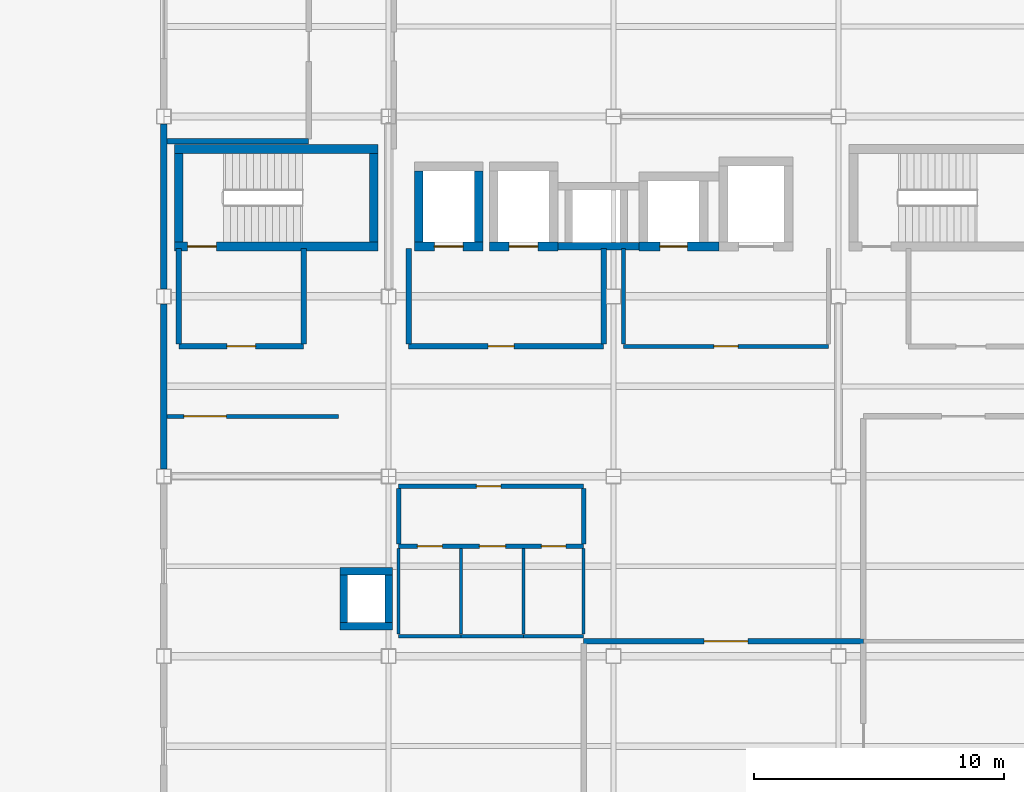
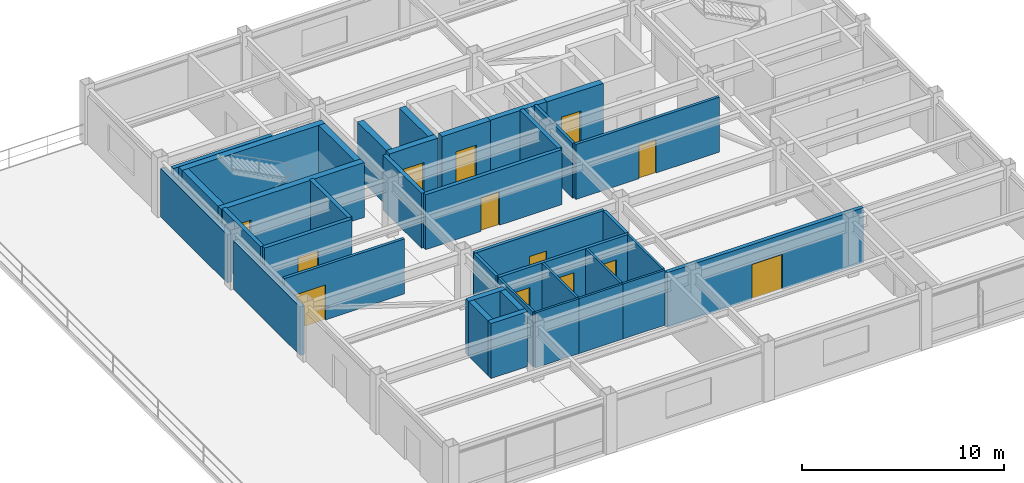
# One storey, part 6 of 11: 38 walls, 13 doors, 13 openings.
"""IFC4 building model written with IfcOpenShell, lengths in metres."""

from ifc_helpers import new_model, si_unit, direction, frame, frame_2d, origin, place, context, subcontext, project, spatial, rectangle, extrude, material, layer, layer_set, type_object, element, fill, save


model = new_model("IFC4")

# Units and contexts
model_context = context("Model", 3, precision=1e-05, world=origin(), true_north=direction((0.0, 1.0)))
body_context = subcontext(model_context, "Body", "Model", "MODEL_VIEW")
ifc_project = project(units=[si_unit("LENGTHUNIT", "METRE"), si_unit("AREAUNIT", "SQUARE_METRE"), si_unit("VOLUMEUNIT", "CUBIC_METRE"), si_unit("PLANEANGLEUNIT", "RADIAN"), si_unit("MASSUNIT", "GRAM", prefix="KILO")], contexts=[model_context])

# Site, building, storey
site_placement = place(None, origin())
site = spatial("IfcSite", under=ifc_project, at=site_placement, CompositionType="ELEMENT")
building_placement = place(site_placement, origin())
building = spatial("IfcBuilding", under=site, at=building_placement, Name="Kazanami Central Library", CompositionType="ELEMENT")
storey_placement = place(building_placement, frame((0.0, 0.0, 24.199951171875)))
storey = spatial("IfcBuildingStorey", under=building, at=storey_placement, Name="L07", CompositionType="ELEMENT", Elevation=24.199951171875)

# Walls
ifc_material_1 = material(Name="Concrete Fc36 (36 MPa)", Category="concrete")
ifc_layer_1 = layer(ifc_material_1, 0.179931640625, Name="Concrete Fc36 (36 MPa)")
ifc_material_2 = material(Name="Extruded Polystyrene XPS", Category="earth")
ifc_layer_2 = layer(ifc_material_2, 0.050048828125, Name="Extruded Polystyrene XPS")
ifc_material_3 = material(Name="Honed Inada Granite", Category="masonry")
ifc_layer_3 = layer(ifc_material_3, 0.030029296875, Name="Honed Inada Granite")
ifc_layer_set_1 = layer_set([ifc_layer_1, ifc_layer_2, ifc_layer_3], Name="Concrete Fc36 (36 MPa)")
wall_type_1 = type_object("IfcWallType", Name="WAL-EW-260", PredefinedType="STANDARD", material=ifc_layer_set_1)
wall_1_placement = place(storey_placement, frame((126.0, 72.300048828125, 0.0), z_axis=(0.0, 0.0, 1.0), x_axis=(0.0, 1.0, 0.0)))
element("IfcWall", 1, at=wall_1_placement, inside=storey, type_object=wall_type_1, Name="Exterior Facade Wall EW-260 L07 W-15-10", PredefinedType="STANDARD", context=body_context, shape_type="SweptSolid", body=[
    extrude(rectangle(XDim=6.599853515625, YDim=0.260009765625, at=frame_2d((3.2998046875, 0.0))), origin(), (0.0, 0.0, 1.0), 2.920166015625),
])
wall_2_placement = place(storey_placement, frame((126.0, 79.5, 0.0), z_axis=(0.0, 0.0, 1.0), x_axis=(0.0, 1.0, 0.0)))
element("IfcWall", 2, at=wall_2_placement, inside=storey, type_object=wall_type_1, Name="Exterior Facade Wall EW-260 L07 W-15-11", PredefinedType="STANDARD", context=body_context, shape_type="SweptSolid", body=[
    extrude(rectangle(XDim=6.60009765625, YDim=0.260009765625, at=frame_2d((3.300048828125, 0.0))), origin(), (0.0, 0.0, 1.0), 2.920166015625),
])

# Wall, opening, door
ifc_material_4 = material(Name="Fire-Resistant Gypsum Board GB-F", Category="gypsum")
ifc_layer_4 = layer(ifc_material_4, 0.1650390625, Name="Fire-Resistant Gypsum Board GB-F")
ifc_layer_set_2 = layer_set([ifc_layer_4], Name="Fire-Resistant Gypsum Board GB-F")
wall_type_2 = type_object("IfcWallType", Name="WAL-FW-165", PredefinedType="PARTITIONING", material=ifc_layer_set_2)
wall_3_placement = place(storey_placement, frame((144.39990234375, 77.199951171875, 0.0), z_axis=(0.0, 0.0, 1.0), x_axis=(1.0, 0.0, 0.0)))
wall_3 = element("IfcWall", 3, at=wall_3_placement, inside=storey, type_object=wall_type_2, Name="Interior Partition FW-165 L07 LOBBY-V2 (South)", PredefinedType="PARTITIONING", context=body_context, shape_type="SweptSolid", body=[
    extrude(rectangle(XDim=8.2001953125, YDim=0.1650390625, at=frame_2d((4.10009765625, 0.0))), origin(), (0.0, 0.0, 1.0), 3.320068359375),
])
opening_1_placement = place(wall_3_placement, frame((3.610107421875, 0.0, 0.0)))
opening_1 = element("IfcOpeningElement", 4, at=opening_1_placement, cuts=wall_3, Name="Opening FD30-3", PredefinedType="OPENING", context=body_context, shape_type="SweptSolid", body=[
    extrude(rectangle(XDim=0.97998046875, YDim=2.02001953125, at=frame_2d((0.489990234375, 1.010009765625))), frame((0.0, 0.094482421875, 0.0), z_axis=(0.0, -1.0, 0.0), x_axis=(1.0, 0.0, 0.0)), (0.0, 0.0, 1.0), 0.18896484375),
])
ifc_material_5 = material(Name="Cold-Rolled Steel SPCC", Category="steel")
door_type_1 = type_object("IfcDoorType", Name="DOR-FD30-3", OperationType="NOTDEFINED", PredefinedType="DOOR", material=ifc_material_5)
door_1_placement = place(opening_1_placement, frame((0.97998046875, 0.0, 0.0), z_axis=(0.0, 0.0, 1.0), x_axis=(-1.0, 0.0, 0.0)))
door_1 = element("IfcDoor", 5, at=door_1_placement, inside=storey, type_object=door_type_1, Name="Interior Door FD30-3 L07 LOBBY-V2", OperationType="SINGLE_SWING_LEFT", OverallHeight=2.02001953125, OverallWidth=0.97998046875, PredefinedType="DOOR", context=body_context, shape_type="SweptSolid", body=[
    extrude(rectangle(XDim=0.97998046875, YDim=2.02001953125, at=frame_2d((0.489990234375, 1.010009765625))), frame((0.0, 0.02490234375, 0.0), z_axis=(0.0, -1.0, 0.0), x_axis=(1.0, 0.0, 0.0)), (0.0, 0.0, 1.0), 0.050048828125),
])
fill(opening_1, door_1)

# Wall
wall_4_placement = place(storey_placement, frame((144.39990234375, 77.2900390625, 0.0), z_axis=(0.0, 0.0, 1.0), x_axis=(0.0, 1.0, 0.0)))
element("IfcWall", 6, at=wall_4_placement, inside=storey, type_object=wall_type_2, Name="Interior Partition FW-165 L07 LOBBY-V2 (West)", PredefinedType="PARTITIONING", context=body_context, shape_type="SweptSolid", body=[
    extrude(rectangle(XDim=3.820068359375, YDim=0.1650390625, at=frame_2d((1.91015625, 0.0))), origin(), (0.0, 0.0, 1.0), 3.320068359375),
])

# Wall, opening, door
wall_5_placement = place(storey_placement, frame((126.135009765625, 74.39990234375, 0.0), z_axis=(0.0, 0.0, 1.0), x_axis=(1.0, 0.0, 0.0)))
wall_5 = element("IfcWall", 7, at=wall_5_placement, inside=storey, type_object=wall_type_2, Name="Interior Partition FW-165 L07 RM-05 (North)", PredefinedType="PARTITIONING", context=body_context, shape_type="SweptSolid", body=[
    extrude(rectangle(XDim=6.864990234375, YDim=0.1650390625, at=frame_2d((3.4326171875, 0.0))), origin(), (0.0, 0.0, 1.0), 3.320068359375),
])
opening_2_placement = place(wall_5_placement, frame((0.6650390625, 0.0, 0.0)))
opening_2 = element("IfcOpeningElement", 8, at=opening_2_placement, cuts=wall_5, Name="Opening FD30-4", PredefinedType="OPENING", context=body_context, shape_type="SweptSolid", body=[
    extrude(rectangle(XDim=1.699951171875, YDim=2.1201171875, at=frame_2d((0.85009765625, 1.06005859375))), frame((0.0, 0.094482421875, 0.0), z_axis=(0.0, -1.0, 0.0), x_axis=(1.0, 0.0, 0.0)), (0.0, 0.0, 1.0), 0.18896484375),
])
door_type_2 = type_object("IfcDoorType", Name="DOR-FD30-4", OperationType="DOUBLE_DOOR_SINGLE_SWING", PredefinedType="DOOR", material=ifc_material_5)
door_2_placement = place(opening_2_placement, origin())
door_2 = element("IfcDoor", 9, at=door_2_placement, inside=storey, type_object=door_type_2, Name="Interior Door FD30-4 L07 RM-05", OperationType="DOUBLE_DOOR_SINGLE_SWING", OverallHeight=2.1201171875, OverallWidth=1.699951171875, PredefinedType="DOOR", context=body_context, shape_type="SweptSolid", body=[
    extrude(rectangle(XDim=1.699951171875, YDim=2.1201171875, at=frame_2d((0.85009765625, 1.06005859375))), frame((0.0, 0.02490234375, 0.0), z_axis=(0.0, -1.0, 0.0), x_axis=(1.0, 0.0, 0.0)), (0.0, 0.0, 1.0), 0.050048828125),
])
fill(opening_2, door_2)

# Wall, openings, doors
ifc_layer_5 = layer(ifc_material_4, 0.179931640625, Name="Fire-Resistant Gypsum Board GB-F")
ifc_layer_set_3 = layer_set([ifc_layer_5], Name="Fire-Resistant Gypsum Board GB-F")
wall_type_3 = type_object("IfcWallType", Name="WAL-FW-180", PredefinedType="PARTITIONING", material=ifc_layer_set_3)
wall_6_placement = place(storey_placement, frame((135.39990234375, 69.199951171875, 0.0), z_axis=(0.0, 0.0, 1.0), x_axis=(1.0, 0.0, 0.0)))
wall_6 = element("IfcWall", 10, at=wall_6_placement, inside=storey, type_object=wall_type_3, Name="Interior Partition FW-180 L07 WC-V2-LOB (South)", PredefinedType="PARTITIONING", context=body_context, shape_type="SweptSolid", body=[
    extrude(rectangle(XDim=7.400146484375, YDim=0.179931640625, at=frame_2d((3.7001953125, 0.0))), origin(), (0.0, 0.0, 1.0), 3.320068359375),
])
opening_3_placement = place(wall_6_placement, frame((0.75, 0.0, 0.0)))
opening_3 = element("IfcOpeningElement", 11, at=opening_3_placement, cuts=wall_6, Name="Opening FD30-2", PredefinedType="OPENING", context=body_context, shape_type="SweptSolid", body=[
    extrude(rectangle(XDim=1.0, YDim=2.080078125, at=frame_2d((0.5, 1.0400390625))), frame((0.0, 0.10205078125, 0.0), z_axis=(0.0, -1.0, 0.0), x_axis=(1.0, 0.0, 0.0)), (0.0, 0.0, 1.0), 0.203857421875),
])
opening_4_placement = place(wall_6_placement, frame((3.22509765625, 0.0, 0.0)))
opening_4 = element("IfcOpeningElement", 12, at=opening_4_placement, cuts=wall_6, Name="Opening FD30-1", PredefinedType="OPENING", context=body_context, shape_type="SweptSolid", body=[
    extrude(rectangle(XDim=1.050048828125, YDim=2.10009765625, at=frame_2d((0.52490234375, 1.050048828125))), frame((0.0, 0.10205078125, 0.0), z_axis=(0.0, -1.0, 0.0), x_axis=(1.0, 0.0, 0.0)), (0.0, 0.0, 1.0), 0.203857421875),
])
opening_5_placement = place(wall_6_placement, frame((5.7099609375, 0.0, 0.0)))
opening_5 = element("IfcOpeningElement", 13, at=opening_5_placement, cuts=wall_6, Name="Opening FD30-3", PredefinedType="OPENING", context=body_context, shape_type="SweptSolid", body=[
    extrude(rectangle(XDim=0.97998046875, YDim=2.02001953125, at=frame_2d((0.489990234375, 1.010009765625))), frame((0.0, 0.10205078125, 0.0), z_axis=(0.0, -1.0, 0.0), x_axis=(1.0, 0.0, 0.0)), (0.0, 0.0, 1.0), 0.203857421875),
])
door_type_3 = type_object("IfcDoorType", Name="DOR-FD30-1", OperationType="NOTDEFINED", PredefinedType="DOOR", material=ifc_material_5)
door_3_placement = place(opening_4_placement, origin())
door_3 = element("IfcDoor", 14, at=door_3_placement, inside=storey, type_object=door_type_3, Name="Interior Door FD30-1 L07 WC-V2-F", OperationType="SINGLE_SWING_RIGHT", OverallHeight=2.10009765625, OverallWidth=1.050048828125, PredefinedType="DOOR", context=body_context, shape_type="SweptSolid", body=[
    extrude(rectangle(XDim=1.050048828125, YDim=2.10009765625, at=frame_2d((0.52490234375, 1.050048828125))), frame((0.0, 0.02490234375, 0.0), z_axis=(0.0, -1.0, 0.0), x_axis=(1.0, 0.0, 0.0)), (0.0, 0.0, 1.0), 0.050048828125),
])
fill(opening_4, door_3)
door_type_4 = type_object("IfcDoorType", Name="DOR-FD30-2", OperationType="NOTDEFINED", PredefinedType="DOOR", material=ifc_material_5)
door_4_placement = place(opening_3_placement, origin())
door_4 = element("IfcDoor", 15, at=door_4_placement, inside=storey, type_object=door_type_4, Name="Interior Door FD30-2 L07 WC-V2-M", OperationType="SINGLE_SWING_LEFT", OverallHeight=2.080078125, OverallWidth=1.0, PredefinedType="DOOR", context=body_context, shape_type="SweptSolid", body=[
    extrude(rectangle(XDim=1.0, YDim=2.080078125, at=frame_2d((0.5, 1.0400390625))), frame((0.0, 0.02490234375, 0.0), z_axis=(0.0, -1.0, 0.0), x_axis=(1.0, 0.0, 0.0)), (0.0, 0.0, 1.0), 0.050048828125),
])
fill(opening_3, door_4)
door_5_placement = place(opening_5_placement, origin())
door_5 = element("IfcDoor", 16, at=door_5_placement, inside=storey, type_object=door_type_1, Name="Interior Door FD30-3 L07 WC-V2-ACC", OperationType="SINGLE_SWING_LEFT", OverallHeight=2.02001953125, OverallWidth=0.97998046875, PredefinedType="DOOR", context=body_context, shape_type="SweptSolid", body=[
    extrude(rectangle(XDim=0.97998046875, YDim=2.02001953125, at=frame_2d((0.489990234375, 1.010009765625))), frame((0.0, 0.02490234375, 0.0), z_axis=(0.0, -1.0, 0.0), x_axis=(1.0, 0.0, 0.0)), (0.0, 0.0, 1.0), 0.050048828125),
])
fill(opening_5, door_5)

# Wall, opening, door
wall_7_placement = place(storey_placement, frame((135.39990234375, 71.60009765625, 0.0), z_axis=(0.0, 0.0, 1.0), x_axis=(1.0, 0.0, 0.0)))
wall_7 = element("IfcWall", 17, at=wall_7_placement, inside=storey, type_object=wall_type_3, Name="Interior Partition FW-180 L07 WC-V2-LOB (North)", PredefinedType="PARTITIONING", context=body_context, shape_type="SweptSolid", body=[
    extrude(rectangle(XDim=7.400146484375, YDim=0.179931640625, at=frame_2d((3.7001953125, 0.0))), origin(), (0.0, 0.0, 1.0), 3.320068359375),
])
opening_6_placement = place(wall_7_placement, frame((3.110107421875, 0.0, 0.0)))
opening_6 = element("IfcOpeningElement", 18, at=opening_6_placement, cuts=wall_7, Name="Opening FD30-3", PredefinedType="OPENING", context=body_context, shape_type="SweptSolid", body=[
    extrude(rectangle(XDim=0.97998046875, YDim=2.02001953125, at=frame_2d((0.489990234375, 1.010009765625))), frame((0.0, 0.10205078125, 0.0), z_axis=(0.0, -1.0, 0.0), x_axis=(1.0, 0.0, 0.0)), (0.0, 0.0, 1.0), 0.203857421875),
])
door_6_placement = place(opening_6_placement, origin())
door_6 = element("IfcDoor", 19, at=door_6_placement, inside=storey, type_object=door_type_1, Name="Interior Door FD30-3 L07 WC-V2-LOB", OperationType="SINGLE_SWING_RIGHT", OverallHeight=2.02001953125, OverallWidth=0.97998046875, PredefinedType="DOOR", context=body_context, shape_type="SweptSolid", body=[
    extrude(rectangle(XDim=0.97998046875, YDim=2.02001953125, at=frame_2d((0.489990234375, 1.010009765625))), frame((0.0, 0.02490234375, 0.0), z_axis=(0.0, -1.0, 0.0), x_axis=(1.0, 0.0, 0.0)), (0.0, 0.0, 1.0), 0.050048828125),
])
fill(opening_6, door_6)

# Walls
for number, where, z_axis, x_axis, name in (
    (20, (135.39990234375, 69.2900390625, 0.0), (0.0, 0.0, 1.0), (0.0, 1.0, 0.0), "Interior Partition FW-180 L07 WC-V2-LOB (West)"),
    (21, (142.800048828125, 69.2900390625, 0.0), (0.0, 0.0, 1.0), (0.0, 1.0, 0.0), "Interior Partition FW-180 L07 WC-V2-LOB (East)"),
):
    element("IfcWall", number, at=place(storey_placement, frame(where, z_axis=z_axis, x_axis=x_axis)), inside=storey, type_object=wall_type_3, Name=name, PredefinedType="PARTITIONING", context=body_context, shape_type="SweptSolid", body=[
        extrude(rectangle(XDim=2.219970703125, YDim=0.179931640625, at=frame_2d((1.10986328125, 0.0))), origin(), (0.0, 0.0, 1.0), 3.320068359375),
    ])

# Wall, opening, door
ifc_layer_6 = layer(ifc_material_4, 0.219970703125, Name="Fire-Resistant Gypsum Board GB-F")
ifc_layer_set_4 = layer_set([ifc_layer_6], Name="Fire-Resistant Gypsum Board GB-F")
wall_type_4 = type_object("IfcWallType", Name="WAL-FW-220", PredefinedType="PARTITIONING", material=ifc_layer_set_4)
wall_8_placement = place(storey_placement, frame((126.60009765625, 77.199951171875, 0.0), z_axis=(0.0, 0.0, 1.0), x_axis=(1.0, 0.0, 0.0)))
wall_8 = element("IfcWall", 22, at=wall_8_placement, inside=storey, type_object=wall_type_4, Name="Interior Partition FW-220 L07 VEST-ST-01 (South)", PredefinedType="PARTITIONING", context=body_context, shape_type="SweptSolid", body=[
    extrude(rectangle(XDim=5.0, YDim=0.219970703125, at=frame_2d((2.5, 0.0))), origin(), (0.0, 0.0, 1.0), 3.320068359375),
])
opening_7_placement = place(wall_8_placement, frame((1.925048828125, 0.0, 0.0)))
opening_7 = element("IfcOpeningElement", 23, at=opening_7_placement, cuts=wall_8, Name="Opening FD60-2", PredefinedType="OPENING", context=body_context, shape_type="SweptSolid", body=[
    extrude(rectangle(XDim=1.14990234375, YDim=2.10009765625, at=frame_2d((0.574951171875, 1.050048828125))), frame((0.0, 0.1220703125, 0.0), z_axis=(0.0, -1.0, 0.0), x_axis=(1.0, 0.0, 0.0)), (0.0, 0.0, 1.0), 0.243896484375),
])
door_type_5 = type_object("IfcDoorType", Name="DOR-FD60-2", OperationType="NOTDEFINED", PredefinedType="DOOR", material=ifc_material_5)
door_7_placement = place(opening_7_placement, origin())
door_7 = element("IfcDoor", 24, at=door_7_placement, inside=storey, type_object=door_type_5, Name="Interior Door FD60-2 L07 VEST-ST-01", OperationType="SINGLE_SWING_RIGHT", OverallHeight=2.10009765625, OverallWidth=1.14990234375, PredefinedType="DOOR", context=body_context, shape_type="SweptSolid", body=[
    extrude(rectangle(XDim=1.14990234375, YDim=2.10009765625, at=frame_2d((0.574951171875, 1.050048828125))), frame((0.0, 0.02490234375, 0.0), z_axis=(0.0, -1.0, 0.0), x_axis=(1.0, 0.0, 0.0)), (0.0, 0.0, 1.0), 0.050048828125),
])
fill(opening_7, door_7)

# Walls
for number, where, z_axis, x_axis, name in (
    (25, (126.60009765625, 77.2900390625, 0.0), (0.0, 0.0, 1.0), (0.0, 1.0, 0.0), "Interior Partition FW-220 L07 VEST-ST-01 (West)"),
    (26, (131.60009765625, 77.2900390625, 0.0), (0.0, 0.0, 1.0), (0.0, 1.0, 0.0), "Interior Partition FW-220 L07 VEST-ST-01 (East)"),
):
    element("IfcWall", number, at=place(storey_placement, frame(where, z_axis=z_axis, x_axis=x_axis)), inside=storey, type_object=wall_type_4, Name=name, PredefinedType="PARTITIONING", context=body_context, shape_type="SweptSolid", body=[
        extrude(rectangle(XDim=3.820068359375, YDim=0.219970703125, at=frame_2d((1.91015625, 0.0))), origin(), (0.0, 0.0, 1.0), 3.320068359375),
    ])

# Wall, opening, door
wall_9_placement = place(storey_placement, frame((135.800048828125, 77.199951171875, 0.0), z_axis=(0.0, 0.0, 1.0), x_axis=(1.0, 0.0, 0.0)))
wall_9 = element("IfcWall", 27, at=wall_9_placement, inside=storey, type_object=wall_type_4, Name="Interior Partition FW-220 L07 LOBBY-FF (South)", PredefinedType="PARTITIONING", context=body_context, shape_type="SweptSolid", body=[
    extrude(rectangle(XDim=7.800048828125, YDim=0.219970703125, at=frame_2d((3.89990234375, 0.0))), origin(), (0.0, 0.0, 1.0), 3.320068359375),
])
opening_8_placement = place(wall_9_placement, frame((3.175048828125, 0.0, 0.0)))
opening_8 = element("IfcOpeningElement", 28, at=opening_8_placement, cuts=wall_9, Name="Opening FD60-8", PredefinedType="OPENING", context=body_context, shape_type="SweptSolid", body=[
    extrude(rectangle(XDim=1.050048828125, YDim=2.02001953125, at=frame_2d((0.52490234375, 1.010009765625))), frame((0.0, 0.1220703125, 0.0), z_axis=(0.0, -1.0, 0.0), x_axis=(1.0, 0.0, 0.0)), (0.0, 0.0, 1.0), 0.243896484375),
])
door_type_6 = type_object("IfcDoorType", Name="DOR-FD60-8", OperationType="NOTDEFINED", PredefinedType="DOOR", material=ifc_material_5)
door_8_placement = place(opening_8_placement, frame((1.050048828125, 0.0, 0.0), z_axis=(0.0, 0.0, 1.0), x_axis=(-1.0, 0.0, 0.0)))
door_8 = element("IfcDoor", 29, at=door_8_placement, inside=storey, type_object=door_type_6, Name="Interior Door FD60-8 L07 LOBBY-FF", OperationType="SINGLE_SWING_RIGHT", OverallHeight=2.02001953125, OverallWidth=1.050048828125, PredefinedType="DOOR", context=body_context, shape_type="SweptSolid", body=[
    extrude(rectangle(XDim=1.050048828125, YDim=2.02001953125, at=frame_2d((0.52490234375, 1.010009765625))), frame((0.0, 0.02490234375, 0.0), z_axis=(0.0, -1.0, 0.0), x_axis=(1.0, 0.0, 0.0)), (0.0, 0.0, 1.0), 0.050048828125),
])
fill(opening_8, door_8)

# Walls
for number, where, z_axis, x_axis, name in (
    (30, (135.800048828125, 77.2900390625, 0.0), (0.0, 0.0, 1.0), (0.0, 1.0, 0.0), "Interior Partition FW-220 L07 LOBBY-FF (West)"),
    (31, (143.60009765625, 77.2900390625, 0.0), (0.0, 0.0, 1.0), (0.0, 1.0, 0.0), "Interior Partition FW-220 L07 LOBBY-FF (East)"),
):
    element("IfcWall", number, at=place(storey_placement, frame(where, z_axis=z_axis, x_axis=x_axis)), inside=storey, type_object=wall_type_4, Name=name, PredefinedType="PARTITIONING", context=body_context, shape_type="SweptSolid", body=[
        extrude(rectangle(XDim=3.820068359375, YDim=0.219970703125, at=frame_2d((1.91015625, 0.0))), origin(), (0.0, 0.0, 1.0), 3.320068359375),
    ])

# Wall, opening, door
wall_10_placement = place(storey_placement, frame((142.800048828125, 65.39990234375, 0.0), z_axis=(0.0, 0.0, 1.0), x_axis=(1.0, 0.0, 0.0)))
wall_10 = element("IfcWall", 32, at=wall_10_placement, inside=storey, type_object=wall_type_4, Name="Interior Partition FW-220 L07 RM-06 (North)", PredefinedType="PARTITIONING", context=body_context, shape_type="SweptSolid", body=[
    extrude(rectangle(XDim=11.199951171875, YDim=0.219970703125, at=frame_2d((5.60009765625, 0.0))), origin(), (0.0, 0.0, 1.0), 3.320068359375),
])
opening_9_placement = place(wall_10_placement, frame((4.824951171875, 0.0, 0.0)))
opening_9 = element("IfcOpeningElement", 33, at=opening_9_placement, cuts=wall_10, Name="Opening FD60-5", PredefinedType="OPENING", context=body_context, shape_type="SweptSolid", body=[
    extrude(rectangle(XDim=1.75, YDim=2.1201171875, at=frame_2d((0.875, 1.06005859375))), frame((0.0, 0.1220703125, 0.0), z_axis=(0.0, -1.0, 0.0), x_axis=(1.0, 0.0, 0.0)), (0.0, 0.0, 1.0), 0.243896484375),
])
door_type_7 = type_object("IfcDoorType", Name="DOR-FD60-5", OperationType="DOUBLE_DOOR_SINGLE_SWING", PredefinedType="DOOR", material=ifc_material_5)
door_9_placement = place(opening_9_placement, origin())
door_9 = element("IfcDoor", 34, at=door_9_placement, inside=storey, type_object=door_type_7, Name="Interior Door FD60-5 L07 RM-06", OperationType="DOUBLE_DOOR_SINGLE_SWING", OverallHeight=2.1201171875, OverallWidth=1.75, PredefinedType="DOOR", context=body_context, shape_type="SweptSolid", body=[
    extrude(rectangle(XDim=1.75, YDim=2.1201171875, at=frame_2d((0.875, 1.06005859375))), frame((0.0, 0.02490234375, 0.0), z_axis=(0.0, -1.0, 0.0), x_axis=(1.0, 0.0, 0.0)), (0.0, 0.0, 1.0), 0.050048828125),
])
fill(opening_9, door_9)

# Walls
wall_11_placement = place(storey_placement, frame((126.135009765625, 85.39990234375, 0.0), z_axis=(0.0, 0.0, 1.0), x_axis=(1.0, 0.0, 0.0)))
element("IfcWall", 35, at=wall_11_placement, inside=storey, type_object=wall_type_4, Name="Interior Partition FW-220 L07 RM-09 (South)", PredefinedType="PARTITIONING", context=body_context, shape_type="SweptSolid", body=[
    extrude(rectangle(XDim=5.6650390625, YDim=0.219970703125, at=frame_2d((2.83251953125, 0.0))), origin(), (0.0, 0.0, 1.0), 3.320068359375),
])
ifc_material_6 = material(Name="Gypsum Plasterboard GB-R", Category="gypsum")
ifc_layer_7 = layer(ifc_material_6, 0.125, Name="Gypsum Plasterboard GB-R")
ifc_layer_set_5 = layer_set([ifc_layer_7], Name="Gypsum Plasterboard GB-R")
wall_type_5 = type_object("IfcWallType", Name="WAL-PW-125", PredefinedType="PARTITIONING", material=ifc_layer_set_5)
wall_12_placement = place(storey_placement, frame((135.39990234375, 65.60009765625, 0.0), z_axis=(0.0, 0.0, 1.0), x_axis=(1.0, 0.0, 0.0)))
element("IfcWall", 36, at=wall_12_placement, inside=storey, type_object=wall_type_5, Name="Interior Partition PW-125 L07 WC-V2-M (South)", PredefinedType="PARTITIONING", context=body_context, shape_type="SweptSolid", body=[
    extrude(rectangle(XDim=2.5, YDim=0.125, at=frame_2d((1.25, 0.0))), origin(), (0.0, 0.0, 1.0), 3.320068359375),
])
for number, where, z_axis, x_axis, name in (
    (37, (135.39990234375, 65.68994140625, 0.0), (0.0, 0.0, 1.0), (0.0, 1.0, 0.0), "Interior Partition PW-125 L07 WC-V2-M (West)"),
    (38, (137.89990234375, 65.68994140625, 0.0), (0.0, 0.0, 1.0), (0.0, 1.0, 0.0), "Interior Partition PW-125 L07 WC-V2-M (East)"),
):
    element("IfcWall", number, at=place(storey_placement, frame(where, z_axis=z_axis, x_axis=x_axis)), inside=storey, type_object=wall_type_5, Name=name, PredefinedType="PARTITIONING", context=body_context, shape_type="SweptSolid", body=[
        extrude(rectangle(XDim=3.420166015625, YDim=0.125, at=frame_2d((1.7099609375, 0.0))), origin(), (0.0, 0.0, 1.0), 3.320068359375),
    ])
wall_13_placement = place(storey_placement, frame((137.89990234375, 65.60009765625, 0.0), z_axis=(0.0, 0.0, 1.0), x_axis=(1.0, 0.0, 0.0)))
element("IfcWall", 39, at=wall_13_placement, inside=storey, type_object=wall_type_5, Name="Interior Partition PW-125 L07 WC-V2-F (South)", PredefinedType="PARTITIONING", context=body_context, shape_type="SweptSolid", body=[
    extrude(rectangle(XDim=2.5, YDim=0.125, at=frame_2d((1.25, 0.0))), origin(), (0.0, 0.0, 1.0), 3.320068359375),
])
wall_14_placement = place(storey_placement, frame((140.39990234375, 65.68994140625, 0.0), z_axis=(0.0, 0.0, 1.0), x_axis=(0.0, 1.0, 0.0)))
element("IfcWall", 40, at=wall_14_placement, inside=storey, type_object=wall_type_5, Name="Interior Partition PW-125 L07 WC-V2-F (East)", PredefinedType="PARTITIONING", context=body_context, shape_type="SweptSolid", body=[
    extrude(rectangle(XDim=3.420166015625, YDim=0.125, at=frame_2d((1.7099609375, 0.0))), origin(), (0.0, 0.0, 1.0), 3.320068359375),
])
wall_15_placement = place(storey_placement, frame((140.39990234375, 65.60009765625, 0.0), z_axis=(0.0, 0.0, 1.0), x_axis=(1.0, 0.0, 0.0)))
element("IfcWall", 41, at=wall_15_placement, inside=storey, type_object=wall_type_5, Name="Interior Partition PW-125 L07 WC-V2-ACC (South)", PredefinedType="PARTITIONING", context=body_context, shape_type="SweptSolid", body=[
    extrude(rectangle(XDim=2.400146484375, YDim=0.125, at=frame_2d((1.2001953125, 0.0))), origin(), (0.0, 0.0, 1.0), 3.320068359375),
])
wall_16_placement = place(storey_placement, frame((142.800048828125, 65.68994140625, 0.0), z_axis=(0.0, 0.0, 1.0), x_axis=(0.0, 1.0, 0.0)))
element("IfcWall", 42, at=wall_16_placement, inside=storey, type_object=wall_type_5, Name="Interior Partition PW-125 L07 WC-V2-ACC (East)", PredefinedType="PARTITIONING", context=body_context, shape_type="SweptSolid", body=[
    extrude(rectangle(XDim=3.420166015625, YDim=0.125, at=frame_2d((1.7099609375, 0.0))), origin(), (0.0, 0.0, 1.0), 3.320068359375),
])
ifc_layer_8 = layer(ifc_material_1, 0.300048828125, Name="Concrete Fc36 (36 MPa)")
ifc_layer_set_6 = layer_set([ifc_layer_8], Name="Concrete Fc36 (36 MPa)")
wall_type_6 = type_object("IfcWallType", Name="WAL-SW-300", PredefinedType="SHEAR", material=ifc_layer_set_6)
wall_17_placement = place(storey_placement, frame((141.77490234375, 81.199951171875, 0.0), z_axis=(0.0, 0.0, 1.0), x_axis=(1.0, 0.0, 0.0)))
element("IfcWall", 43, at=wall_17_placement, inside=storey, type_object=wall_type_6, Name="Service Riser Wall RSR-V2-A S L07", PredefinedType="SHEAR", context=body_context, shape_type="SweptSolid", body=[
    extrude(rectangle(XDim=3.25, YDim=0.300048828125, at=frame_2d((1.625, 0.0))), origin(), (0.0, 0.0, 1.0), 3.320068359375),
])
for number, where, z_axis, x_axis, name in (
    (44, (133.050048828125, 66.0, 0.0), (0.0, 0.0, 1.0), (1.0, 0.0, 0.0), "Service Riser Wall RSR-V2-B S L07"),
    (45, (133.050048828125, 68.199951171875, 0.0), (0.0, 0.0, 1.0), (1.0, 0.0, 0.0), "Service Riser Wall RSR-V2-B N L07"),
):
    element("IfcWall", number, at=place(storey_placement, frame(where, z_axis=z_axis, x_axis=x_axis)), inside=storey, type_object=wall_type_6, Name=name, PredefinedType="SHEAR", context=body_context, shape_type="SweptSolid", body=[
        extrude(rectangle(XDim=2.099853515625, YDim=0.300048828125, at=frame_2d((1.0498046875, 0.0))), origin(), (0.0, 0.0, 1.0), 3.320068359375),
    ])
for number, where, z_axis, x_axis, name in (
    (46, (133.199951171875, 66.14990234375, 0.0), (0.0, 0.0, 1.0), (0.0, 1.0, 0.0), "Service Riser Wall RSR-V2-B W L07"),
    (47, (135.0, 66.14990234375, 0.0), (0.0, 0.0, 1.0), (0.0, 1.0, 0.0), "Service Riser Wall RSR-V2-B E L07"),
):
    element("IfcWall", number, at=place(storey_placement, frame(where, z_axis=z_axis, x_axis=x_axis)), inside=storey, type_object=wall_type_6, Name=name, PredefinedType="SHEAR", context=body_context, shape_type="SweptSolid", body=[
        extrude(rectangle(XDim=1.900146484375, YDim=0.300048828125, at=frame_2d((0.9501953125, 0.0))), origin(), (0.0, 0.0, 1.0), 3.320068359375),
    ])

# Wall, opening, door
ifc_layer_9 = layer(ifc_material_1, 0.35009765625, Name="Concrete Fc36 (36 MPa)")
ifc_layer_set_7 = layer_set([ifc_layer_9], Name="Concrete Fc36 (36 MPa)")
wall_type_7 = type_object("IfcWallType", Name="WAL-SW-350", PredefinedType="SHEAR", material=ifc_layer_set_7)
wall_18_placement = place(storey_placement, frame((126.425048828125, 81.199951171875, 0.0), z_axis=(0.0, 0.0, 1.0), x_axis=(1.0, 0.0, 0.0)))
wall_18 = element("IfcWall", 48, at=wall_18_placement, inside=storey, type_object=wall_type_7, Name="Stair Core Wall ST-01 South L07", PredefinedType="SHEAR", context=body_context, shape_type="SweptSolid", body=[
    extrude(rectangle(XDim=8.14990234375, YDim=0.35009765625, at=frame_2d((4.074951171875, 0.0))), origin(), (0.0, 0.0, 1.0), 3.320068359375),
])
opening_10_placement = place(wall_18_placement, frame((0.52490234375, 0.0, 0.0)))
opening_10 = element("IfcOpeningElement", 49, at=opening_10_placement, cuts=wall_18, Name="Opening FD60-2", PredefinedType="OPENING", context=body_context, shape_type="SweptSolid", body=[
    extrude(rectangle(XDim=1.14990234375, YDim=2.10009765625, at=frame_2d((0.574951171875, 1.050048828125))), frame((0.0, 0.18701171875, 0.0), z_axis=(0.0, -1.0, 0.0), x_axis=(1.0, 0.0, 0.0)), (0.0, 0.0, 1.0), 0.3740234375),
])
door_10_placement = place(opening_10_placement, origin())
door_10 = element("IfcDoor", 50, at=door_10_placement, inside=storey, type_object=door_type_5, Name="Escape Stair ST-01 Fire Door L07", OperationType="SINGLE_SWING_RIGHT", OverallHeight=2.10009765625, OverallWidth=1.14990234375, PredefinedType="DOOR", context=body_context, shape_type="SweptSolid", body=[
    extrude(rectangle(XDim=1.14990234375, YDim=2.10009765625, at=frame_2d((0.574951171875, 1.050048828125))), frame((0.0, 0.02490234375, 0.0), z_axis=(0.0, -1.0, 0.0), x_axis=(1.0, 0.0, 0.0)), (0.0, 0.0, 1.0), 0.050048828125),
])
fill(opening_10, door_10)

# Walls
wall_19_placement = place(storey_placement, frame((126.425048828125, 85.10009765625, 0.0), z_axis=(0.0, 0.0, 1.0), x_axis=(1.0, 0.0, 0.0)))
element("IfcWall", 51, at=wall_19_placement, inside=storey, type_object=wall_type_7, Name="Stair Core Wall ST-01 North L07", PredefinedType="SHEAR", context=body_context, shape_type="SweptSolid", body=[
    extrude(rectangle(XDim=8.14990234375, YDim=0.35009765625, at=frame_2d((4.074951171875, 0.0))), origin(), (0.0, 0.0, 1.0), 3.320068359375),
])
for number, where, z_axis, x_axis, name in (
    (52, (126.60009765625, 81.375, 0.0), (0.0, 0.0, 1.0), (0.0, 1.0, 0.0), "Stair Core Wall ST-01 West L07"),
    (53, (134.39990234375, 81.375, 0.0), (0.0, 0.0, 1.0), (0.0, 1.0, 0.0), "Stair Core Wall ST-01 East L07"),
):
    element("IfcWall", number, at=place(storey_placement, frame(where, z_axis=z_axis, x_axis=x_axis)), inside=storey, type_object=wall_type_7, Name=name, PredefinedType="SHEAR", context=body_context, shape_type="SweptSolid", body=[
        extrude(rectangle(XDim=3.550048828125, YDim=0.35009765625, at=frame_2d((1.77490234375, 0.0))), origin(), (0.0, 0.0, 1.0), 3.320068359375),
    ])

# Wall, opening, door
wall_20_placement = place(storey_placement, frame((136.02490234375, 81.199951171875, 0.0), z_axis=(0.0, 0.0, 1.0), x_axis=(1.0, 0.0, 0.0)))
wall_20 = element("IfcWall", 54, at=wall_20_placement, inside=storey, type_object=wall_type_7, Name="Lift Shaft Wall EL-F1 South L07", PredefinedType="SHEAR", context=body_context, shape_type="SweptSolid", body=[
    extrude(rectangle(XDim=2.75, YDim=0.35009765625, at=frame_2d((1.375, 0.0))), origin(), (0.0, 0.0, 1.0), 3.320068359375),
])
opening_11_placement = place(wall_20_placement, frame((0.800048828125, 0.0, 0.0)))
opening_11 = element("IfcOpeningElement", 55, at=opening_11_placement, cuts=wall_20, Name="Opening LD-02", PredefinedType="OPENING", context=body_context, shape_type="SweptSolid", body=[
    extrude(rectangle(XDim=1.14990234375, YDim=2.1201171875, at=frame_2d((0.574951171875, 1.06005859375))), frame((0.0, 0.18701171875, 0.0), z_axis=(0.0, -1.0, 0.0), x_axis=(1.0, 0.0, 0.0)), (0.0, 0.0, 1.0), 0.3740234375),
])
ifc_material_7 = material(Name="Stainless Steel SUS304", Category="steel")
door_type_8 = type_object("IfcDoorType", Name="DOR-LD-02", OperationType="SLIDING_TO_LEFT", PredefinedType="DOOR", material=ifc_material_7)
door_11_placement = place(opening_11_placement, origin())
door_11 = element("IfcDoor", 56, at=door_11_placement, inside=storey, type_object=door_type_8, Name="Lift Landing Sliding Door EL-F1 (L07)", OperationType="SLIDING_TO_LEFT", OverallHeight=2.1201171875, OverallWidth=1.14990234375, PredefinedType="DOOR", context=body_context, shape_type="SweptSolid", body=[
    extrude(rectangle(XDim=1.14990234375, YDim=2.1201171875, at=frame_2d((0.574951171875, 1.06005859375))), frame((0.0, 0.02490234375, 0.0), z_axis=(0.0, -1.0, 0.0), x_axis=(1.0, 0.0, 0.0)), (0.0, 0.0, 1.0), 0.050048828125),
])
fill(opening_11, door_11)

# Walls
for number, where, z_axis, x_axis, name in (
    (57, (136.199951171875, 81.375, 0.0), (0.0, 0.0, 1.0), (0.0, 1.0, 0.0), "Lift Shaft Wall EL-F1 West L07"),
    (58, (138.60009765625, 81.375, 0.0), (0.0, 0.0, 1.0), (0.0, 1.0, 0.0), "Lift Shaft Wall EL-F1 East L07"),
):
    element("IfcWall", number, at=place(storey_placement, frame(where, z_axis=z_axis, x_axis=x_axis)), inside=storey, type_object=wall_type_7, Name=name, PredefinedType="SHEAR", context=body_context, shape_type="SweptSolid", body=[
        extrude(rectangle(XDim=2.85009765625, YDim=0.35009765625, at=frame_2d((1.425048828125, 0.0))), origin(), (0.0, 0.0, 1.0), 3.320068359375),
    ])

# Wall, opening, door
wall_21_placement = place(storey_placement, frame((139.02490234375, 81.199951171875, 0.0), z_axis=(0.0, 0.0, 1.0), x_axis=(1.0, 0.0, 0.0)))
wall_21 = element("IfcWall", 59, at=wall_21_placement, inside=storey, type_object=wall_type_7, Name="Lift Shaft Wall EL-F2 South L07", PredefinedType="SHEAR", context=body_context, shape_type="SweptSolid", body=[
    extrude(rectangle(XDim=2.75, YDim=0.35009765625, at=frame_2d((1.375, 0.0))), origin(), (0.0, 0.0, 1.0), 3.320068359375),
])
opening_12_placement = place(wall_21_placement, frame((0.800048828125, 0.0, 0.0)))
opening_12 = element("IfcOpeningElement", 60, at=opening_12_placement, cuts=wall_21, Name="Opening LD-02", PredefinedType="OPENING", context=body_context, shape_type="SweptSolid", body=[
    extrude(rectangle(XDim=1.14990234375, YDim=2.1201171875, at=frame_2d((0.574951171875, 1.06005859375))), frame((0.0, 0.18701171875, 0.0), z_axis=(0.0, -1.0, 0.0), x_axis=(1.0, 0.0, 0.0)), (0.0, 0.0, 1.0), 0.3740234375),
])
door_12_placement = place(opening_12_placement, origin())
door_12 = element("IfcDoor", 61, at=door_12_placement, inside=storey, type_object=door_type_8, Name="Lift Landing Sliding Door EL-F2 (L07)", OperationType="SLIDING_TO_LEFT", OverallHeight=2.1201171875, OverallWidth=1.14990234375, PredefinedType="DOOR", context=body_context, shape_type="SweptSolid", body=[
    extrude(rectangle(XDim=1.14990234375, YDim=2.1201171875, at=frame_2d((0.574951171875, 1.06005859375))), frame((0.0, 0.02490234375, 0.0), z_axis=(0.0, -1.0, 0.0), x_axis=(1.0, 0.0, 0.0)), (0.0, 0.0, 1.0), 0.050048828125),
])
fill(opening_12, door_12)

wall_22_placement = place(storey_placement, frame((145.02490234375, 81.199951171875, 0.0), z_axis=(0.0, 0.0, 1.0), x_axis=(1.0, 0.0, 0.0)))
wall_22 = element("IfcWall", 62, at=wall_22_placement, inside=storey, type_object=wall_type_7, Name="Lift Shaft Wall EL-P1 South L07", PredefinedType="SHEAR", context=body_context, shape_type="SweptSolid", body=[
    extrude(rectangle(XDim=3.2001953125, YDim=0.35009765625, at=frame_2d((1.60009765625, 0.0))), origin(), (0.0, 0.0, 1.0), 3.320068359375),
])
opening_13_placement = place(wall_22_placement, frame((0.824951171875, 0.0, 0.0)))
opening_13 = element("IfcOpeningElement", 63, at=opening_13_placement, cuts=wall_22, Name="Opening LD-01", PredefinedType="OPENING", context=body_context, shape_type="SweptSolid", body=[
    extrude(rectangle(XDim=1.10009765625, YDim=2.10009765625, at=frame_2d((0.550048828125, 1.050048828125))), frame((0.0, 0.18701171875, 0.0), z_axis=(0.0, -1.0, 0.0), x_axis=(1.0, 0.0, 0.0)), (0.0, 0.0, 1.0), 0.3740234375),
])
door_type_9 = type_object("IfcDoorType", Name="DOR-LD-01", OperationType="SLIDING_TO_LEFT", PredefinedType="DOOR", material=ifc_material_7)
door_13_placement = place(opening_13_placement, origin())
door_13 = element("IfcDoor", 64, at=door_13_placement, inside=storey, type_object=door_type_9, Name="Lift Landing Sliding Door EL-P1 (L07)", OperationType="SLIDING_TO_LEFT", OverallHeight=2.10009765625, OverallWidth=1.10009765625, PredefinedType="DOOR", context=body_context, shape_type="SweptSolid", body=[
    extrude(rectangle(XDim=1.10009765625, YDim=2.10009765625, at=frame_2d((0.550048828125, 1.050048828125))), frame((0.0, 0.02490234375, 0.0), z_axis=(0.0, -1.0, 0.0), x_axis=(1.0, 0.0, 0.0)), (0.0, 0.0, 1.0), 0.050048828125),
])
fill(opening_13, door_13)

save(model, "model.ifc")
